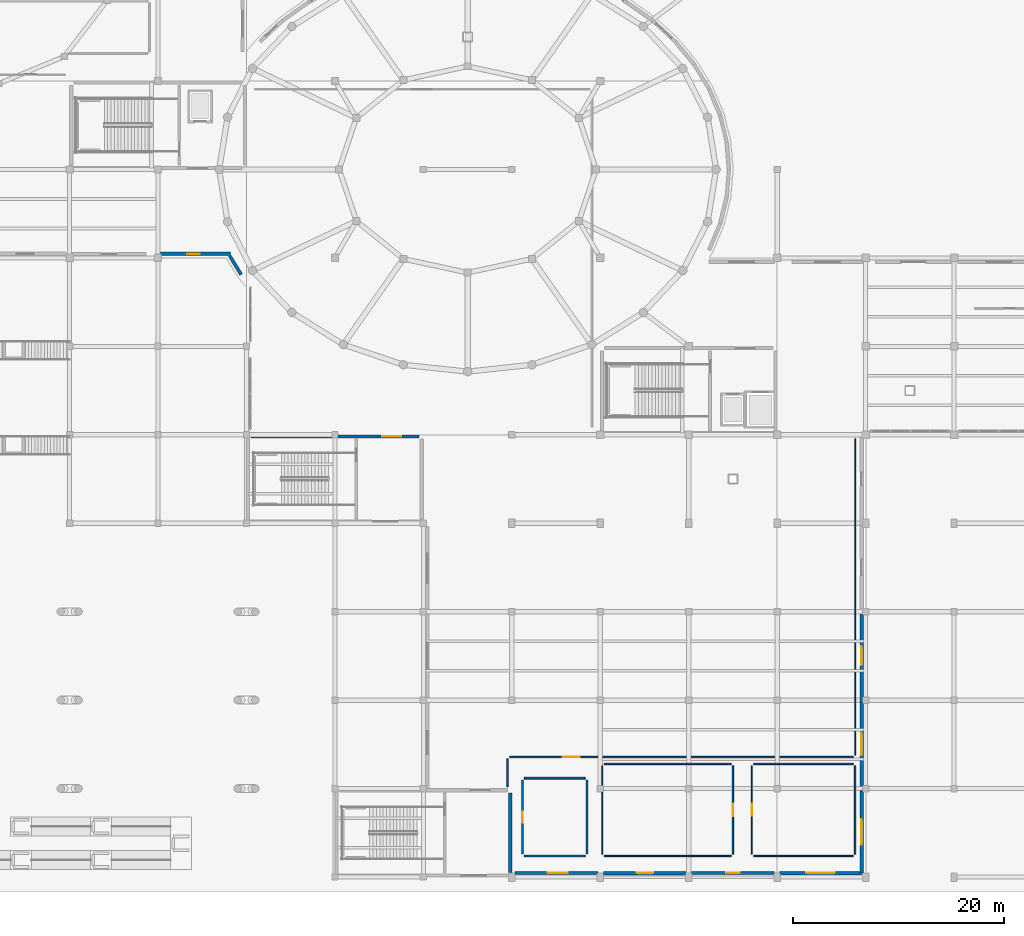
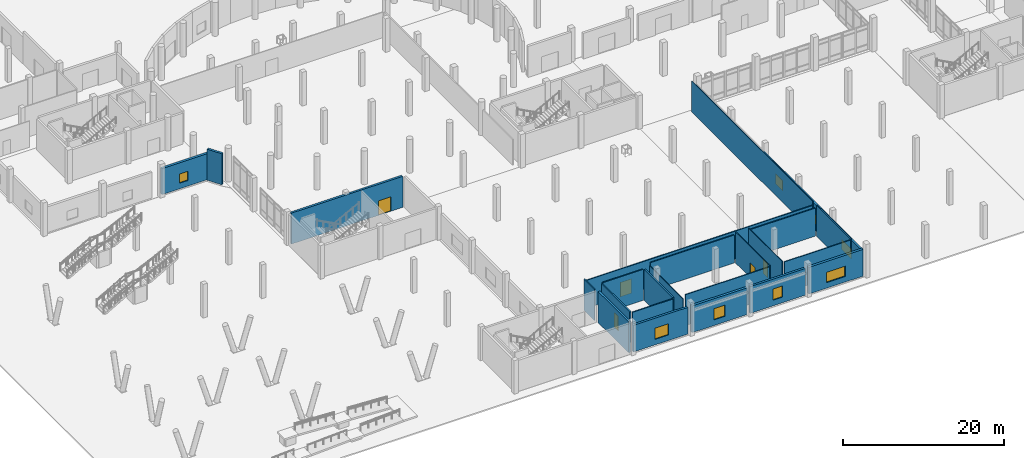
# One storey, part 45 of 64: 26 walls, 8 windows, 5 doors, 13 openings.
"""IFC4 building model written with IfcOpenShell, lengths in metres."""

from ifc_helpers import new_model, si_unit, derived_unit, direction, frame, frame_2d, origin, place, context, subcontext, project, spatial, rectangle, extrude, material, layer, layer_set, type_object, element, fill, save


model = new_model("IFC4")

# Units and contexts
model_context = context("Model", 3, precision=1e-05, world=origin(), true_north=direction((0.0, 1.0)))
body_context = subcontext(model_context, "Body", "Model", "MODEL_VIEW")
ifc_project = project(units=[si_unit("LENGTHUNIT", "METRE"), si_unit("AREAUNIT", "SQUARE_METRE"), si_unit("VOLUMEUNIT", "CUBIC_METRE"), si_unit("PLANEANGLEUNIT", "RADIAN"), si_unit("MASSUNIT", "GRAM", prefix="KILO"), derived_unit("THERMALTRANSMITTANCEUNIT", [(si_unit("POWERUNIT", "WATT"), 1), (si_unit("LENGTHUNIT", "METRE"), -2), (si_unit("THERMODYNAMICTEMPERATUREUNIT", "KELVIN"), -1)])], contexts=[model_context])

# Site, building, storey
site_placement = place(None, origin())
site = spatial("IfcSite", under=ifc_project, at=site_placement, CompositionType="ELEMENT")
building_placement = place(site_placement, origin())
building = spatial("IfcBuilding", under=site, at=building_placement, Name="Elbkamm Science Centre", CompositionType="ELEMENT")
storey_placement = place(building_placement, origin())
storey = spatial("IfcBuildingStorey", under=building, at=storey_placement, Name="L00", CompositionType="ELEMENT", Elevation=0.0)

# Wall, opening, door
ifc_material_1 = material(Name="Reinforced concrete C40/50", Category="concrete")
ifc_layer_1 = layer(ifc_material_1, 0.300048828125)
ifc_layer_set_1 = layer_set([ifc_layer_1], Name="Reinforced concrete C40/50")
wall_type_1 = type_object("IfcWallType", Name="WL-CORE-300", PredefinedType="SHEAR", material=ifc_layer_set_1)
wall_1_placement = place(storey_placement, frame((42.419921875, 41.85009765625, 0.0), z_axis=(0.0, 0.0, 1.0), x_axis=(1.0, 0.0, 0.0)))
wall_1 = element("IfcWall", 1, at=wall_1_placement, inside=storey, type_object=wall_type_1, Name="L00 Core C5 Southwest Plinth Assembly Egress Core Shear Wall N", PredefinedType="SHEAR", context=body_context, shape_type="SweptSolid", body=[
    extrude(rectangle(XDim=15.9599609375, YDim=0.300048828125, at=frame_2d((7.97998046875, 0.0))), origin(), (0.0, 0.0, 1.0), 4.699951171875),
])
opening_1_placement = place(wall_1_placement, frame((12.4599609375, 0.0, 0.0)))
opening_1 = element("IfcOpeningElement", 2, at=opening_1_placement, cuts=wall_1, Name="Opening DC-01", PredefinedType="OPENING", context=body_context, shape_type="SweptSolid", body=[
    extrude(rectangle(XDim=1.800048828125, YDim=2.199951171875, at=frame_2d((0.89990234375, 1.10009765625))), frame((0.0, 0.162109375, 0.0), z_axis=(0.0, -1.0, 0.0), x_axis=(1.0, 0.0, 0.0)), (0.0, 0.0, 1.0), 0.323974609375),
])
ifc_material_2 = material(Name="Fire-rated steel acoustic door", Category="steel")
ifc_layer_2 = layer(ifc_material_2, 0.050048828125)
ifc_layer_set_2 = layer_set([ifc_layer_2], Name="Fire-rated steel acoustic door")
door_type_1 = type_object("IfcDoorType", Name="DR-CORE-1800x2200", OperationType="DOUBLE_DOOR_SINGLE_SWING", PredefinedType="DOOR", material=ifc_layer_set_2)
door_1_placement = place(opening_1_placement, origin())
door_1 = element("IfcDoor", 3, at=door_1_placement, inside=storey, type_object=door_type_1, Name="L00 C5 Core Lobby Fire Door", OperationType="DOUBLE_DOOR_SINGLE_SWING", OverallHeight=2.199951171875, OverallWidth=1.800048828125, PredefinedType="DOOR", context=body_context, shape_type="SweptSolid", body=[
    extrude(rectangle(XDim=1.800048828125, YDim=2.199951171875, at=frame_2d((0.89990234375, 1.10009765625))), frame((0.0, 0.02490234375, 0.0), z_axis=(0.0, -1.0, 0.0), x_axis=(1.0, 0.0, 0.0)), (0.0, 0.0, 1.0), 0.050048828125),
])
fill(opening_1, door_1)

# Wall
wall_2_placement = place(storey_placement, frame((67.050048828125, 0.419921875, 0.0), z_axis=(0.0, 0.0, 1.0), x_axis=(0.0, 1.0, 0.0)))
element("IfcWall", 4, at=wall_2_placement, inside=storey, type_object=wall_type_1, Name="L00 Core C6 South Theatre Assembly Egress Core Shear Wall E", PredefinedType="SHEAR", context=body_context, shape_type="SweptSolid", body=[
    extrude(rectangle(XDim=7.56005859375, YDim=0.300048828125, at=frame_2d((3.780029296875, 0.0))), origin(), (0.0, 0.0, 1.0), 4.699951171875),
])

# Wall, opening, window
ifc_material_3 = material(Name="White precast concrete C40/50", Category="concrete")
ifc_layer_3 = layer(ifc_material_3, 0.31005859375)
ifc_layer_set_3 = layer_set([ifc_layer_3], Name="White precast concrete C40/50")
wall_type_2 = type_object("IfcWallType", Name="WL-EXT-310", PredefinedType="SOLIDWALL", material=ifc_layer_set_3)
wall_3_placement = place(storey_placement, frame((100.419921875, 24.9609375, 0.0), z_axis=(0.0, 0.0, 1.0), x_axis=(0.0, -1.0, 0.0)))
wall_3 = element("IfcWall", 5, at=wall_3_placement, inside=storey, type_object=wall_type_2, Name="L00 Exterior Wall 0145", PredefinedType="SOLIDWALL", context=body_context, shape_type="SweptSolid", body=[
    extrude(rectangle(XDim=8.385009765625, YDim=0.31005859375, at=frame_2d((4.1923828125, 0.0))), origin(), (0.0, 0.0, 1.0), 3.89990234375),
])
opening_2_placement = place(wall_3_placement, frame((3.060791015625, 0.0, 0.85009765625)))
opening_2 = element("IfcOpeningElement", 6, at=opening_2_placement, cuts=wall_3, Name="Opening W-11", PredefinedType="OPENING", context=body_context, shape_type="SweptSolid", body=[
    extrude(rectangle(XDim=1.800048828125, YDim=1.550048828125, at=frame_2d((0.89990234375, 0.77490234375))), frame((0.0, 0.1669921875, 0.0), z_axis=(0.0, -1.0, 0.0), x_axis=(1.0, 0.0, 0.0)), (0.0, 0.0, 1.0), 0.333984375),
])
ifc_material_4 = material(Name="Thermally broken aluminium and triple solar glass", Category="aluminium")
ifc_layer_4 = layer(ifc_material_4, 0.06005859375)
ifc_layer_set_4 = layer_set([ifc_layer_4], Name="Thermally broken aluminium and triple solar glass")
window_type_1 = type_object("IfcWindowType", Name="WIN-1800x1550", PartitioningType="DOUBLE_PANEL_VERTICAL", PredefinedType="WINDOW", material=ifc_layer_set_4)
window_1_placement = place(opening_2_placement, origin())
window_1 = element("IfcWindow", 7, at=window_1_placement, inside=storey, type_object=window_type_1, Name="L00 Facade Window 0010", OverallHeight=1.550048828125, OverallWidth=1.800048828125, PartitioningType="SINGLE_PANEL", PredefinedType="WINDOW", context=body_context, shape_type="SweptSolid", body=[
    extrude(rectangle(XDim=1.800048828125, YDim=1.550048828125, at=frame_2d((0.89990234375, 0.77490234375))), frame((0.0, 0.030029296875, 0.0), z_axis=(0.0, -1.0, 0.0), x_axis=(1.0, 0.0, 0.0)), (0.0, 0.0, 1.0), 0.06005859375),
])
fill(opening_2, window_1)

wall_4_placement = place(storey_placement, frame((100.419921875, 8.160888671875, 0.0), z_axis=(0.0, 0.0, 1.0), x_axis=(0.0, -1.0, 0.0)))
wall_4 = element("IfcWall", 8, at=wall_4_placement, inside=storey, type_object=wall_type_2, Name="L00 Exterior Wall 0147", PredefinedType="SOLIDWALL", context=body_context, shape_type="SweptSolid", body=[
    extrude(rectangle(XDim=7.781005859375, YDim=0.31005859375, at=frame_2d((3.890625, 0.0))), origin(), (0.0, 0.0, 1.0), 3.89990234375),
])
opening_3_placement = place(wall_4_placement, frame((2.6904296875, 0.0, 0.85009765625)))
opening_3 = element("IfcOpeningElement", 9, at=opening_3_placement, cuts=wall_4, Name="Opening W-13", PredefinedType="OPENING", context=body_context, shape_type="SweptSolid", body=[
    extrude(rectangle(XDim=2.39990234375, YDim=1.550048828125, at=frame_2d((1.199951171875, 0.77490234375))), frame((0.0, 0.1669921875, 0.0), z_axis=(0.0, -1.0, 0.0), x_axis=(1.0, 0.0, 0.0)), (0.0, 0.0, 1.0), 0.333984375),
])
ifc_layer_5 = layer(ifc_material_4, 0.06005859375)
ifc_layer_set_5 = layer_set([ifc_layer_5], Name="Thermally broken aluminium and triple solar glass")
window_type_2 = type_object("IfcWindowType", Name="WIN-2400x1550", PartitioningType="DOUBLE_PANEL_VERTICAL", PredefinedType="WINDOW", material=ifc_layer_set_5)
window_2_placement = place(opening_3_placement, origin())
window_2 = element("IfcWindow", 10, at=window_2_placement, inside=storey, type_object=window_type_2, Name="L00 Facade Window 0012", OverallHeight=1.550048828125, OverallWidth=2.39990234375, PartitioningType="SINGLE_PANEL", PredefinedType="WINDOW", context=body_context, shape_type="SweptSolid", body=[
    extrude(rectangle(XDim=2.39990234375, YDim=1.550048828125, at=frame_2d((1.199951171875, 0.77490234375))), frame((0.0, 0.030029296875, 0.0), z_axis=(0.0, -1.0, 0.0), x_axis=(1.0, 0.0, 0.0)), (0.0, 0.0, 1.0), 0.06005859375),
])
fill(opening_3, window_2)

wall_5_placement = place(storey_placement, frame((92.160888671875, 0.3798828125, 0.0), z_axis=(0.0, 0.0, 1.0), x_axis=(-1.0, 0.0, 0.0)))
wall_5 = element("IfcWall", 11, at=wall_5_placement, inside=storey, type_object=wall_type_2, Name="L00 Exterior Wall 0149", PredefinedType="SOLIDWALL", context=body_context, shape_type="SweptSolid", body=[
    extrude(rectangle(XDim=7.921875, YDim=0.31005859375, at=frame_2d((3.9609375, 0.0))), origin(), (0.0, 0.0, 1.0), 4.050048828125),
])
opening_4_placement = place(wall_5_placement, frame((3.310791015625, 0.0, 0.85009765625)))
opening_4 = element("IfcOpeningElement", 12, at=opening_4_placement, cuts=wall_5, Name="Opening W-15", PredefinedType="OPENING", context=body_context, shape_type="SweptSolid", body=[
    extrude(rectangle(XDim=1.300048828125, YDim=1.699951171875, at=frame_2d((0.64990234375, 0.85009765625))), frame((0.0, 0.1669921875, 0.0), z_axis=(0.0, -1.0, 0.0), x_axis=(1.0, 0.0, 0.0)), (0.0, 0.0, 1.0), 0.333984375),
])
ifc_layer_6 = layer(ifc_material_4, 0.06005859375)
ifc_layer_set_6 = layer_set([ifc_layer_6], Name="Thermally broken aluminium and triple solar glass")
window_type_3 = type_object("IfcWindowType", Name="WIN-1300x1700", PartitioningType="SINGLE_PANEL", PredefinedType="WINDOW", material=ifc_layer_set_6)
window_3_placement = place(opening_4_placement, origin())
window_3 = element("IfcWindow", 13, at=window_3_placement, inside=storey, type_object=window_type_3, Name="L00 Facade Window 0014", OverallHeight=1.699951171875, OverallWidth=1.300048828125, PartitioningType="SINGLE_PANEL", PredefinedType="WINDOW", context=body_context, shape_type="SweptSolid", body=[
    extrude(rectangle(XDim=1.300048828125, YDim=1.699951171875, at=frame_2d((0.64990234375, 0.85009765625))), frame((0.0, 0.030029296875, 0.0), z_axis=(0.0, -1.0, 0.0), x_axis=(1.0, 0.0, 0.0)), (0.0, 0.0, 1.0), 0.06005859375),
])
fill(opening_4, window_3)

wall_6_placement = place(storey_placement, frame((75.36083984375, 0.3798828125, 0.0), z_axis=(0.0, 0.0, 1.0), x_axis=(-1.0, 0.0, 0.0)))
wall_6 = element("IfcWall", 14, at=wall_6_placement, inside=storey, type_object=wall_type_2, Name="L00 Exterior Wall 0151", PredefinedType="SOLIDWALL", context=body_context, shape_type="SweptSolid", body=[
    extrude(rectangle(XDim=7.85888671875, YDim=0.31005859375, at=frame_2d((3.929443359375, 0.0))), origin(), (0.0, 0.0, 1.0), 4.050048828125),
])
opening_5_placement = place(wall_6_placement, frame((2.85546875, 0.0, 0.85009765625)))
opening_5 = element("IfcOpeningElement", 15, at=opening_5_placement, cuts=wall_6, Name="Opening W-17", PredefinedType="OPENING", context=body_context, shape_type="SweptSolid", body=[
    extrude(rectangle(XDim=1.89990234375, YDim=1.699951171875, at=frame_2d((0.949951171875, 0.85009765625))), frame((0.0, 0.1669921875, 0.0), z_axis=(0.0, -1.0, 0.0), x_axis=(1.0, 0.0, 0.0)), (0.0, 0.0, 1.0), 0.333984375),
])
ifc_layer_7 = layer(ifc_material_4, 0.06005859375)
ifc_layer_set_7 = layer_set([ifc_layer_7], Name="Thermally broken aluminium and triple solar glass")
window_type_4 = type_object("IfcWindowType", Name="WIN-1900x1700", PartitioningType="DOUBLE_PANEL_VERTICAL", PredefinedType="WINDOW", material=ifc_layer_set_7)
window_4_placement = place(opening_5_placement, origin())
window_4 = element("IfcWindow", 16, at=window_4_placement, inside=storey, type_object=window_type_4, Name="L00 Facade Window 0016", OverallHeight=1.699951171875, OverallWidth=1.89990234375, PartitioningType="SINGLE_PANEL", PredefinedType="WINDOW", context=body_context, shape_type="SweptSolid", body=[
    extrude(rectangle(XDim=1.89990234375, YDim=1.699951171875, at=frame_2d((0.949951171875, 0.85009765625))), frame((0.0, 0.030029296875, 0.0), z_axis=(0.0, -1.0, 0.0), x_axis=(1.0, 0.0, 0.0)), (0.0, 0.0, 1.0), 0.06005859375),
])
fill(opening_5, window_4)

# Wall
wall_7_placement = place(storey_placement, frame((41.486572265625, 57.220947265625, 0.0), z_axis=(0.0, 0.0, 1.0), x_axis=(-0.520196346409, 0.854046697308, 0.0)))
element("IfcWall", 17, at=wall_7_placement, inside=storey, type_object=wall_type_2, Name="L00 Exterior Wall 0155", PredefinedType="SOLIDWALL", context=body_context, shape_type="SweptSolid", body=[
    extrude(rectangle(XDim=2.08056640625, YDim=0.31005859375, at=frame_2d((1.040283203125, 0.0))), origin(), (0.0, 0.0, 1.0), 4.699951171875),
])

# Wall, opening, window
ifc_layer_8 = layer(ifc_material_3, 0.340087890625)
ifc_layer_set_8 = layer_set([ifc_layer_8], Name="White precast concrete C40/50")
wall_type_3 = type_object("IfcWallType", Name="WL-EXT-340", PredefinedType="SOLIDWALL", material=ifc_layer_set_8)
wall_8_placement = place(storey_placement, frame((100.419921875, 16.560791015625, 0.0), z_axis=(0.0, 0.0, 1.0), x_axis=(0.0, -1.0, 0.0)))
wall_8 = element("IfcWall", 18, at=wall_8_placement, inside=storey, type_object=wall_type_3, Name="L00 Exterior Wall 0146", PredefinedType="SOLIDWALL", context=body_context, shape_type="SweptSolid", body=[
    extrude(rectangle(XDim=8.385009765625, YDim=0.340087890625, at=frame_2d((4.1923828125, 0.0))), origin(), (0.0, 0.0, 1.0), 3.89990234375),
])
opening_6_placement = place(wall_8_placement, frame((2.87841796875, 0.0, 0.85009765625)))
opening_6 = element("IfcOpeningElement", 19, at=opening_6_placement, cuts=wall_8, Name="Opening W-12", PredefinedType="OPENING", context=body_context, shape_type="SweptSolid", body=[
    extrude(rectangle(XDim=2.10009765625, YDim=1.550048828125, at=frame_2d((1.050048828125, 0.77490234375))), frame((0.0, 0.18212890625, 0.0), z_axis=(0.0, -1.0, 0.0), x_axis=(1.0, 0.0, 0.0)), (0.0, 0.0, 1.0), 0.364013671875),
])
ifc_layer_9 = layer(ifc_material_4, 0.06005859375)
ifc_layer_set_9 = layer_set([ifc_layer_9], Name="Thermally broken aluminium and triple solar glass")
window_type_5 = type_object("IfcWindowType", Name="WIN-2100x1550", PartitioningType="DOUBLE_PANEL_VERTICAL", PredefinedType="WINDOW", material=ifc_layer_set_9)
window_5_placement = place(opening_6_placement, origin())
window_5 = element("IfcWindow", 20, at=window_5_placement, inside=storey, type_object=window_type_5, Name="L00 Facade Window 0011", OverallHeight=1.550048828125, OverallWidth=2.10009765625, PartitioningType="SINGLE_PANEL", PredefinedType="WINDOW", context=body_context, shape_type="SweptSolid", body=[
    extrude(rectangle(XDim=2.10009765625, YDim=1.550048828125, at=frame_2d((1.050048828125, 0.77490234375))), frame((0.0, 0.030029296875, 0.0), z_axis=(0.0, -1.0, 0.0), x_axis=(1.0, 0.0, 0.0)), (0.0, 0.0, 1.0), 0.06005859375),
])
fill(opening_6, window_5)

wall_9_placement = place(storey_placement, frame((100.419921875, 0.3798828125, 0.0), z_axis=(0.0, 0.0, 1.0), x_axis=(-1.0, 0.0, 0.0)))
wall_9 = element("IfcWall", 21, at=wall_9_placement, inside=storey, type_object=wall_type_3, Name="L00 Exterior Wall 0148", PredefinedType="SOLIDWALL", context=body_context, shape_type="SweptSolid", body=[
    extrude(rectangle(XDim=7.78076171875, YDim=0.340087890625, at=frame_2d((3.890380859375, 0.0))), origin(), (0.0, 0.0, 1.0), 4.050048828125),
])
opening_7_placement = place(wall_9_placement, frame((2.54052734375, 0.0, 0.85009765625)))
opening_7 = element("IfcOpeningElement", 22, at=opening_7_placement, cuts=wall_9, Name="Opening W-14", PredefinedType="OPENING", context=body_context, shape_type="SweptSolid", body=[
    extrude(rectangle(XDim=2.699951171875, YDim=1.550048828125, at=frame_2d((1.35009765625, 0.77490234375))), frame((0.0, 0.18212890625, 0.0), z_axis=(0.0, -1.0, 0.0), x_axis=(1.0, 0.0, 0.0)), (0.0, 0.0, 1.0), 0.364013671875),
])
ifc_layer_10 = layer(ifc_material_4, 0.06005859375)
ifc_layer_set_10 = layer_set([ifc_layer_10], Name="Thermally broken aluminium and triple solar glass")
window_type_6 = type_object("IfcWindowType", Name="WIN-2700x1550", PartitioningType="DOUBLE_PANEL_VERTICAL", PredefinedType="WINDOW", material=ifc_layer_set_10)
window_6_placement = place(opening_7_placement, origin())
window_6 = element("IfcWindow", 23, at=window_6_placement, inside=storey, type_object=window_type_6, Name="L00 Facade Window 0013", OverallHeight=1.550048828125, OverallWidth=2.699951171875, PartitioningType="SINGLE_PANEL", PredefinedType="WINDOW", context=body_context, shape_type="SweptSolid", body=[
    extrude(rectangle(XDim=2.699951171875, YDim=1.550048828125, at=frame_2d((1.35009765625, 0.77490234375))), frame((0.0, 0.030029296875, 0.0), z_axis=(0.0, -1.0, 0.0), x_axis=(1.0, 0.0, 0.0)), (0.0, 0.0, 1.0), 0.06005859375),
])
fill(opening_7, window_6)

wall_10_placement = place(storey_placement, frame((83.760986328125, 0.3798828125, 0.0), z_axis=(0.0, 0.0, 1.0), x_axis=(-1.0, 0.0, 0.0)))
wall_10 = element("IfcWall", 24, at=wall_10_placement, inside=storey, type_object=wall_type_3, Name="L00 Exterior Wall 0150", PredefinedType="SOLIDWALL", context=body_context, shape_type="SweptSolid", body=[
    extrude(rectangle(XDim=7.85888671875, YDim=0.340087890625, at=frame_2d((3.929443359375, 0.0))), origin(), (0.0, 0.0, 1.0), 4.050048828125),
])
opening_8_placement = place(wall_10_placement, frame((3.12158203125, 0.0, 0.85009765625)))
opening_8 = element("IfcOpeningElement", 25, at=opening_8_placement, cuts=wall_10, Name="Opening W-16", PredefinedType="OPENING", context=body_context, shape_type="SweptSolid", body=[
    extrude(rectangle(XDim=1.60009765625, YDim=1.699951171875, at=frame_2d((0.800048828125, 0.85009765625))), frame((0.0, 0.18212890625, 0.0), z_axis=(0.0, -1.0, 0.0), x_axis=(1.0, 0.0, 0.0)), (0.0, 0.0, 1.0), 0.364013671875),
])
ifc_layer_11 = layer(ifc_material_4, 0.06005859375)
ifc_layer_set_11 = layer_set([ifc_layer_11], Name="Thermally broken aluminium and triple solar glass")
window_type_7 = type_object("IfcWindowType", Name="WIN-1600x1700", PartitioningType="SINGLE_PANEL", PredefinedType="WINDOW", material=ifc_layer_set_11)
window_7_placement = place(opening_8_placement, origin())
window_7 = element("IfcWindow", 26, at=window_7_placement, inside=storey, type_object=window_type_7, Name="L00 Facade Window 0015", OverallHeight=1.699951171875, OverallWidth=1.60009765625, PartitioningType="SINGLE_PANEL", PredefinedType="WINDOW", context=body_context, shape_type="SweptSolid", body=[
    extrude(rectangle(XDim=1.60009765625, YDim=1.699951171875, at=frame_2d((0.800048828125, 0.85009765625))), frame((0.0, 0.030029296875, 0.0), z_axis=(0.0, -1.0, 0.0), x_axis=(1.0, 0.0, 0.0)), (0.0, 0.0, 1.0), 0.06005859375),
])
fill(opening_8, window_7)

wall_11_placement = place(storey_placement, frame((40.478271484375, 59.179931640625, 0.0), z_axis=(0.0, 0.0, 1.0), x_axis=(-1.0, 0.0, 0.0)))
wall_11 = element("IfcWall", 27, at=wall_11_placement, inside=storey, type_object=wall_type_3, Name="L00 Exterior Wall 0156", PredefinedType="SOLIDWALL", context=body_context, shape_type="SweptSolid", body=[
    extrude(rectangle(XDim=6.63916015625, YDim=0.340087890625, at=frame_2d((3.319580078125, 0.0))), origin(), (0.0, 0.0, 1.0), 3.949951171875),
])
opening_9_placement = place(wall_11_placement, frame((2.918701171875, 0.0, 0.85009765625)))
opening_9 = element("IfcOpeningElement", 28, at=opening_9_placement, cuts=wall_11, Name="Opening W-01", PredefinedType="OPENING", context=body_context, shape_type="SweptSolid", body=[
    extrude(rectangle(XDim=1.199951171875, YDim=1.39990234375, at=frame_2d((0.60009765625, 0.699951171875))), frame((0.0, 0.18212890625, 0.0), z_axis=(0.0, -1.0, 0.0), x_axis=(1.0, 0.0, 0.0)), (0.0, 0.0, 1.0), 0.364013671875),
])
ifc_layer_12 = layer(ifc_material_4, 0.06005859375)
ifc_layer_set_12 = layer_set([ifc_layer_12], Name="Thermally broken aluminium and triple solar glass")
window_type_8 = type_object("IfcWindowType", Name="WIN-1200x1400", PartitioningType="SINGLE_PANEL", PredefinedType="WINDOW", material=ifc_layer_set_12)
window_8_placement = place(opening_9_placement, origin())
window_8 = element("IfcWindow", 29, at=window_8_placement, inside=storey, type_object=window_type_8, Name="L00 Facade Window 0020", OverallHeight=1.39990234375, OverallWidth=1.199951171875, PartitioningType="SINGLE_PANEL", PredefinedType="WINDOW", context=body_context, shape_type="SweptSolid", body=[
    extrude(rectangle(XDim=1.199951171875, YDim=1.39990234375, at=frame_2d((0.60009765625, 0.699951171875))), frame((0.0, 0.030029296875, 0.0), z_axis=(0.0, -1.0, 0.0), x_axis=(1.0, 0.0, 0.0)), (0.0, 0.0, 1.0), 0.06005859375),
])
fill(opening_9, window_8)

# Walls
ifc_material_5 = material(Name="Fire-rated gypsum stud partition", Category="gypsum")
ifc_layer_13 = layer(ifc_material_5, 0.175048828125)
ifc_layer_set_13 = layer_set([ifc_layer_13], Name="Fire-rated gypsum stud partition")
wall_type_4 = type_object("IfcWallType", Name="WL-FIRE-175", PredefinedType="PARTITIONING", material=ifc_layer_set_13)
for number, where, z_axis, x_axis, name in (
    (30, (68.3798828125, 9.39990234375, 0.0), (0.0, 0.0, 1.0), (1.0, 0.0, 0.0), "L00 Fire Command Centre Partition 0041"),
    (31, (74.169921875, 2.0, 0.0), (0.0, 0.0, 1.0), (-1.0, 0.0, 0.0), "L00 Fire Command Centre Partition 0043"),
):
    element("IfcWall", number, at=place(storey_placement, frame(where, z_axis=z_axis, x_axis=x_axis)), inside=storey, type_object=wall_type_4, Name=name, PredefinedType="PARTITIONING", context=body_context, shape_type="SweptSolid", body=[
        extrude(rectangle(XDim=5.7900390625, YDim=0.175048828125, at=frame_2d((2.89501953125, 0.0))), origin(), (0.0, 0.0, 1.0), 4.699951171875),
    ])
ifc_material_6 = material(Name="Fire-rated acoustic blockwork", Category="masonry")
ifc_layer_14 = layer(ifc_material_6, 0.199951171875)
ifc_layer_set_14 = layer_set([ifc_layer_14], Name="Fire-rated acoustic blockwork")
wall_type_5 = type_object("IfcWallType", Name="WL-FIRE-200", PredefinedType="PARTITIONING", material=ifc_layer_set_14)
wall_12_placement = place(storey_placement, frame((74.35009765625, 9.219970703125, 0.0), z_axis=(0.0, 0.0, 1.0), x_axis=(0.0, -1.0, 0.0)))
element("IfcWall", 32, at=wall_12_placement, inside=storey, type_object=wall_type_5, Name="L00 Fire Command Centre Partition 0042", PredefinedType="PARTITIONING", context=body_context, shape_type="SweptSolid", body=[
    extrude(rectangle(XDim=7.0400390625, YDim=0.199951171875, at=frame_2d((3.52001953125, 0.0))), origin(), (0.0, 0.0, 1.0), 4.699951171875),
])

# Wall, opening, door
wall_13_placement = place(storey_placement, frame((68.199951171875, 2.179931640625, 0.0), z_axis=(0.0, 0.0, 1.0), x_axis=(0.0, 1.0, 0.0)))
wall_13 = element("IfcWall", 33, at=wall_13_placement, inside=storey, type_object=wall_type_5, Name="L00 Fire Command Centre Partition 0044", PredefinedType="PARTITIONING", context=body_context, shape_type="SweptSolid", body=[
    extrude(rectangle(XDim=7.0400390625, YDim=0.199951171875, at=frame_2d((3.52001953125, 0.0))), origin(), (0.0, 0.0, 1.0), 4.699951171875),
])
opening_10_placement = place(wall_13_placement, frame((2.9951171875, 0.0, 0.0)))
opening_10 = element("IfcOpeningElement", 34, at=opening_10_placement, cuts=wall_13, Name="Opening DF-02", PredefinedType="OPENING", context=body_context, shape_type="SweptSolid", body=[
    extrude(rectangle(XDim=1.050048828125, YDim=2.14990234375, at=frame_2d((0.52490234375, 1.074951171875))), frame((0.0, 0.11181640625, 0.0), z_axis=(0.0, -1.0, 0.0), x_axis=(1.0, 0.0, 0.0)), (0.0, 0.0, 1.0), 0.223876953125),
])
ifc_material_7 = material(Name="Fire-rated timber acoustic door", Category="wood")
ifc_layer_15 = layer(ifc_material_7, 0.050048828125)
ifc_layer_set_15 = layer_set([ifc_layer_15], Name="Fire-rated timber acoustic door")
door_type_2 = type_object("IfcDoorType", Name="DR-FIRE-1050x2150", OperationType="NOTDEFINED", PredefinedType="DOOR", material=ifc_layer_set_15)
door_2_placement = place(opening_10_placement, origin())
door_2 = element("IfcDoor", 35, at=door_2_placement, inside=storey, type_object=door_type_2, Name="L00 Fire Command Centre Door", OperationType="SINGLE_SWING_RIGHT", OverallHeight=2.14990234375, OverallWidth=1.050048828125, PredefinedType="DOOR", context=body_context, shape_type="SweptSolid", body=[
    extrude(rectangle(XDim=1.050048828125, YDim=2.14990234375, at=frame_2d((0.52490234375, 1.074951171875))), frame((0.0, 0.02490234375, 0.0), z_axis=(0.0, -1.0, 0.0), x_axis=(1.0, 0.0, 0.0)), (0.0, 0.0, 1.0), 0.050048828125),
])
fill(opening_10, door_2)

# Walls
ifc_material_8 = material(Name="Drywall service partition", Category="gypsum")
ifc_layer_16 = layer(ifc_material_8, 0.10009765625)
ifc_layer_set_16 = layer_set([ifc_layer_16], Name="Drywall service partition")
wall_type_6 = type_object("IfcWallType", Name="WL-PART-100", PredefinedType="PARTITIONING", material=ifc_layer_set_16)
wall_14_placement = place(storey_placement, frame((99.800048828125, 41.6201171875, 0.0), z_axis=(0.0, 0.0, 1.0), x_axis=(0.0, -1.0, 0.0)))
element("IfcWall", 36, at=wall_14_placement, inside=storey, type_object=wall_type_6, Name="L00 School Group Arrival Forum Partition 0027", PredefinedType="PARTITIONING", context=body_context, shape_type="SweptSolid", body=[
    extrude(rectangle(XDim=30.0400390625, YDim=0.10009765625, at=frame_2d((15.02001953125, 0.0))), origin(), (0.0, 0.0, 1.0), 4.699951171875),
])
wall_15_placement = place(storey_placement, frame((75.800048828125, 2.179931640625, 0.0), z_axis=(0.0, 0.0, 1.0), x_axis=(0.0, 1.0, 0.0)))
element("IfcWall", 37, at=wall_15_placement, inside=storey, type_object=wall_type_6, Name="L00 Harbour Science Cafe Partition 0031", PredefinedType="PARTITIONING", context=body_context, shape_type="SweptSolid", body=[
    extrude(rectangle(XDim=8.39013671875, YDim=0.10009765625, at=frame_2d((4.195068359375, 0.0))), origin(), (0.0, 0.0, 1.0), 3.949951171875),
])

# Wall, opening, door
wall_16_placement = place(storey_placement, frame((90.0, 2.179931640625, 0.0), z_axis=(0.0, 0.0, 1.0), x_axis=(0.0, 1.0, 0.0)))
wall_16 = element("IfcWall", 38, at=wall_16_placement, inside=storey, type_object=wall_type_6, Name="L00 Museum Science Shop Partition 0035", PredefinedType="PARTITIONING", context=body_context, shape_type="SweptSolid", body=[
    extrude(rectangle(XDim=8.39013671875, YDim=0.10009765625, at=frame_2d((4.195068359375, 0.0))), origin(), (0.0, 0.0, 1.0), 4.699951171875),
])
opening_11_placement = place(wall_16_placement, frame((3.6201171875, 0.0, 0.0)))
opening_11 = element("IfcOpeningElement", 39, at=opening_11_placement, cuts=wall_16, Name="Opening DI-05", PredefinedType="OPENING", context=body_context, shape_type="SweptSolid", body=[
    extrude(rectangle(XDim=1.14990234375, YDim=2.14990234375, at=frame_2d((0.574951171875, 1.074951171875))), frame((0.0, 0.06201171875, 0.0), z_axis=(0.0, -1.0, 0.0), x_axis=(1.0, 0.0, 0.0)), (0.0, 0.0, 1.0), 0.1240234375),
])
ifc_material_9 = material(Name="Acoustic oak veneer door")
ifc_layer_17 = layer(ifc_material_9, 0.050048828125)
ifc_layer_set_17 = layer_set([ifc_layer_17], Name="Acoustic oak veneer door")
door_type_3 = type_object("IfcDoorType", Name="DR-INT-1150x2150", OperationType="NOTDEFINED", PredefinedType="DOOR", material=ifc_layer_set_17)
door_3_placement = place(opening_11_placement, origin())
door_3 = element("IfcDoor", 40, at=door_3_placement, inside=storey, type_object=door_type_3, Name="L00 Museum Science Shop Door", OperationType="SINGLE_SWING_RIGHT", OverallHeight=2.14990234375, OverallWidth=1.14990234375, PredefinedType="DOOR", context=body_context, shape_type="SweptSolid", body=[
    extrude(rectangle(XDim=1.14990234375, YDim=2.14990234375, at=frame_2d((0.574951171875, 1.074951171875))), frame((0.0, 0.02490234375, 0.0), z_axis=(0.0, -1.0, 0.0), x_axis=(1.0, 0.0, 0.0)), (0.0, 0.0, 1.0), 0.050048828125),
])
fill(opening_11, door_3)

# Walls
ifc_material_10 = material(Name="Lightweight metal-stud gypsum partition", Category="gypsum")
ifc_layer_18 = layer(ifc_material_10, 0.125)
ifc_layer_set_18 = layer_set([ifc_layer_18], Name="Lightweight metal-stud gypsum partition")
wall_type_7 = type_object("IfcWallType", Name="WL-PART-125", PredefinedType="PARTITIONING", material=ifc_layer_set_18)
wall_17_placement = place(storey_placement, frame((66.800048828125, 11.219970703125, 0.0), z_axis=(0.0, 0.0, 1.0), x_axis=(0.0, -1.0, 0.0)))
element("IfcWall", 41, at=wall_17_placement, inside=storey, type_object=wall_type_7, Name="L00 School Group Arrival Forum Partition 0026", PredefinedType="PARTITIONING", context=body_context, shape_type="SweptSolid", body=[
    extrude(rectangle(XDim=2.619873046875, YDim=0.125, at=frame_2d((1.31005859375, 0.0))), origin(), (0.0, 0.0, 1.0), 4.699951171875),
])
wall_18_placement = place(storey_placement, frame((88.02001953125, 2.0, 0.0), z_axis=(0.0, 0.0, 1.0), x_axis=(-1.0, 0.0, 0.0)))
element("IfcWall", 42, at=wall_18_placement, inside=storey, type_object=wall_type_7, Name="L00 Harbour Science Cafe Partition 0030", PredefinedType="PARTITIONING", context=body_context, shape_type="SweptSolid", body=[
    extrude(rectangle(XDim=12.0400390625, YDim=0.125, at=frame_2d((6.02001953125, 0.0))), origin(), (0.0, 0.0, 1.0), 4.699951171875),
])
wall_19_placement = place(storey_placement, frame((99.6201171875, 2.0, 0.0), z_axis=(0.0, 0.0, 1.0), x_axis=(-1.0, 0.0, 0.0)))
element("IfcWall", 43, at=wall_19_placement, inside=storey, type_object=wall_type_7, Name="L00 Museum Science Shop Partition 0034", PredefinedType="PARTITIONING", context=body_context, shape_type="SweptSolid", body=[
    extrude(rectangle(XDim=9.440185546875, YDim=0.125, at=frame_2d((4.72021484375, 0.0))), origin(), (0.0, 0.0, 1.0), 4.699951171875),
])

# Wall, opening, door
ifc_material_11 = material(Name="Acoustic metal-stud gypsum partition", Category="gypsum")
ifc_layer_19 = layer(ifc_material_11, 0.139892578125)
ifc_layer_set_19 = layer_set([ifc_layer_19], Name="Acoustic metal-stud gypsum partition")
wall_type_8 = type_object("IfcWallType", Name="WL-PART-140", PredefinedType="PARTITIONING", material=ifc_layer_set_19)
wall_20_placement = place(storey_placement, frame((99.6201171875, 11.39990234375, 0.0), z_axis=(0.0, 0.0, 1.0), x_axis=(-1.0, 0.0, 0.0)))
wall_20 = element("IfcWall", 44, at=wall_20_placement, inside=storey, type_object=wall_type_8, Name="L00 School Group Arrival Forum Partition 0025", PredefinedType="PARTITIONING", context=body_context, shape_type="SweptSolid", body=[
    extrude(rectangle(XDim=32.64013671875, YDim=0.139892578125, at=frame_2d((16.320068359375, 0.0))), origin(), (0.0, 0.0, 1.0), 4.25),
])
opening_12_placement = place(wall_20_placement, frame((25.96484375, 0.0, 0.0)))
opening_12 = element("IfcOpeningElement", 45, at=opening_12_placement, cuts=wall_20, Name="Opening DI-02", PredefinedType="OPENING", context=body_context, shape_type="SweptSolid", body=[
    extrude(rectangle(XDim=1.60009765625, YDim=2.199951171875, at=frame_2d((0.800048828125, 1.10009765625))), frame((0.0, 0.08203125, 0.0), z_axis=(0.0, -1.0, 0.0), x_axis=(1.0, 0.0, 0.0)), (0.0, 0.0, 1.0), 0.163818359375),
])
ifc_material_12 = material(Name="Acoustic oak veneer and safety glass door", Category="glass")
ifc_layer_20 = layer(ifc_material_12, 0.050048828125)
ifc_layer_set_20 = layer_set([ifc_layer_20], Name="Acoustic oak veneer and safety glass door")
door_type_4 = type_object("IfcDoorType", Name="DR-INT-1600x2200", OperationType="DOUBLE_DOOR_SINGLE_SWING", PredefinedType="DOOR", material=ifc_layer_set_20)
door_4_placement = place(opening_12_placement, origin())
door_4 = element("IfcDoor", 46, at=door_4_placement, inside=storey, type_object=door_type_4, Name="L00 School Group Arrival Forum Door", OperationType="DOUBLE_DOOR_SINGLE_SWING", OverallHeight=2.199951171875, OverallWidth=1.60009765625, PredefinedType="DOOR", context=body_context, shape_type="SweptSolid", body=[
    extrude(rectangle(XDim=1.60009765625, YDim=2.199951171875, at=frame_2d((0.800048828125, 1.10009765625))), frame((0.0, 0.02490234375, 0.0), z_axis=(0.0, -1.0, 0.0), x_axis=(1.0, 0.0, 0.0)), (0.0, 0.0, 1.0), 0.050048828125),
])
fill(opening_12, door_4)

wall_21_placement = place(storey_placement, frame((88.199951171875, 10.570068359375, 0.0), z_axis=(0.0, 0.0, 1.0), x_axis=(0.0, -1.0, 0.0)))
wall_21 = element("IfcWall", 47, at=wall_21_placement, inside=storey, type_object=wall_type_8, Name="L00 Harbour Science Cafe Partition 0029", PredefinedType="PARTITIONING", context=body_context, shape_type="SweptSolid", body=[
    extrude(rectangle(XDim=8.39013671875, YDim=0.139892578125, at=frame_2d((4.195068359375, 0.0))), origin(), (0.0, 0.0, 1.0), 4.699951171875),
])
opening_13_placement = place(wall_21_placement, frame((3.594970703125, 0.0, 0.0)))
opening_13 = element("IfcOpeningElement", 48, at=opening_13_placement, cuts=wall_21, Name="Opening DI-04", PredefinedType="OPENING", context=body_context, shape_type="SweptSolid", body=[
    extrude(rectangle(XDim=1.199951171875, YDim=2.199951171875, at=frame_2d((0.60009765625, 1.10009765625))), frame((0.0, 0.08203125, 0.0), z_axis=(0.0, -1.0, 0.0), x_axis=(1.0, 0.0, 0.0)), (0.0, 0.0, 1.0), 0.163818359375),
])
ifc_layer_21 = layer(ifc_material_9, 0.050048828125)
ifc_layer_set_21 = layer_set([ifc_layer_21], Name="Acoustic oak veneer door")
door_type_5 = type_object("IfcDoorType", Name="DR-INT-1200x2200", OperationType="NOTDEFINED", PredefinedType="DOOR", material=ifc_layer_set_21)
door_5_placement = place(opening_13_placement, origin())
door_5 = element("IfcDoor", 49, at=door_5_placement, inside=storey, type_object=door_type_5, Name="L00 Harbour Science Cafe Door", OperationType="SINGLE_SWING_LEFT", OverallHeight=2.199951171875, OverallWidth=1.199951171875, PredefinedType="DOOR", context=body_context, shape_type="SweptSolid", body=[
    extrude(rectangle(XDim=1.199951171875, YDim=2.199951171875, at=frame_2d((0.60009765625, 1.10009765625))), frame((0.0, 0.02490234375, 0.0), z_axis=(0.0, -1.0, 0.0), x_axis=(1.0, 0.0, 0.0)), (0.0, 0.0, 1.0), 0.050048828125),
])
fill(opening_13, door_5)

# Walls
wall_22_placement = place(storey_placement, frame((99.800048828125, 10.570068359375, 0.0), z_axis=(0.0, 0.0, 1.0), x_axis=(0.0, -1.0, 0.0)))
element("IfcWall", 50, at=wall_22_placement, inside=storey, type_object=wall_type_8, Name="L00 Museum Science Shop Partition 0033", PredefinedType="PARTITIONING", context=body_context, shape_type="SweptSolid", body=[
    extrude(rectangle(XDim=8.39013671875, YDim=0.139892578125, at=frame_2d((4.195068359375, 0.0))), origin(), (0.0, 0.0, 1.0), 4.699951171875),
])
ifc_layer_22 = layer(ifc_material_11, 0.159912109375)
ifc_layer_set_22 = layer_set([ifc_layer_22], Name="Acoustic metal-stud gypsum partition")
wall_type_9 = type_object("IfcWallType", Name="WL-PART-160", PredefinedType="PARTITIONING", material=ifc_layer_set_22)
wall_23_placement = place(storey_placement, frame((75.97998046875, 10.75, 0.0), z_axis=(0.0, 0.0, 1.0), x_axis=(1.0, 0.0, 0.0)))
element("IfcWall", 51, at=wall_23_placement, inside=storey, type_object=wall_type_9, Name="L00 Harbour Science Cafe Partition 0028", PredefinedType="PARTITIONING", context=body_context, shape_type="SweptSolid", body=[
    extrude(rectangle(XDim=12.0400390625, YDim=0.159912109375, at=frame_2d((6.02001953125, 0.0))), origin(), (0.0, 0.0, 1.0), 4.25),
])
wall_24_placement = place(storey_placement, frame((90.179931640625, 10.75, 0.0), z_axis=(0.0, 0.0, 1.0), x_axis=(1.0, 0.0, 0.0)))
element("IfcWall", 52, at=wall_24_placement, inside=storey, type_object=wall_type_9, Name="L00 Museum Science Shop Partition 0032", PredefinedType="PARTITIONING", context=body_context, shape_type="SweptSolid", body=[
    extrude(rectangle(XDim=9.440185546875, YDim=0.159912109375, at=frame_2d((4.72021484375, 0.0))), origin(), (0.0, 0.0, 1.0), 4.25),
])

save(model, "model.ifc")
